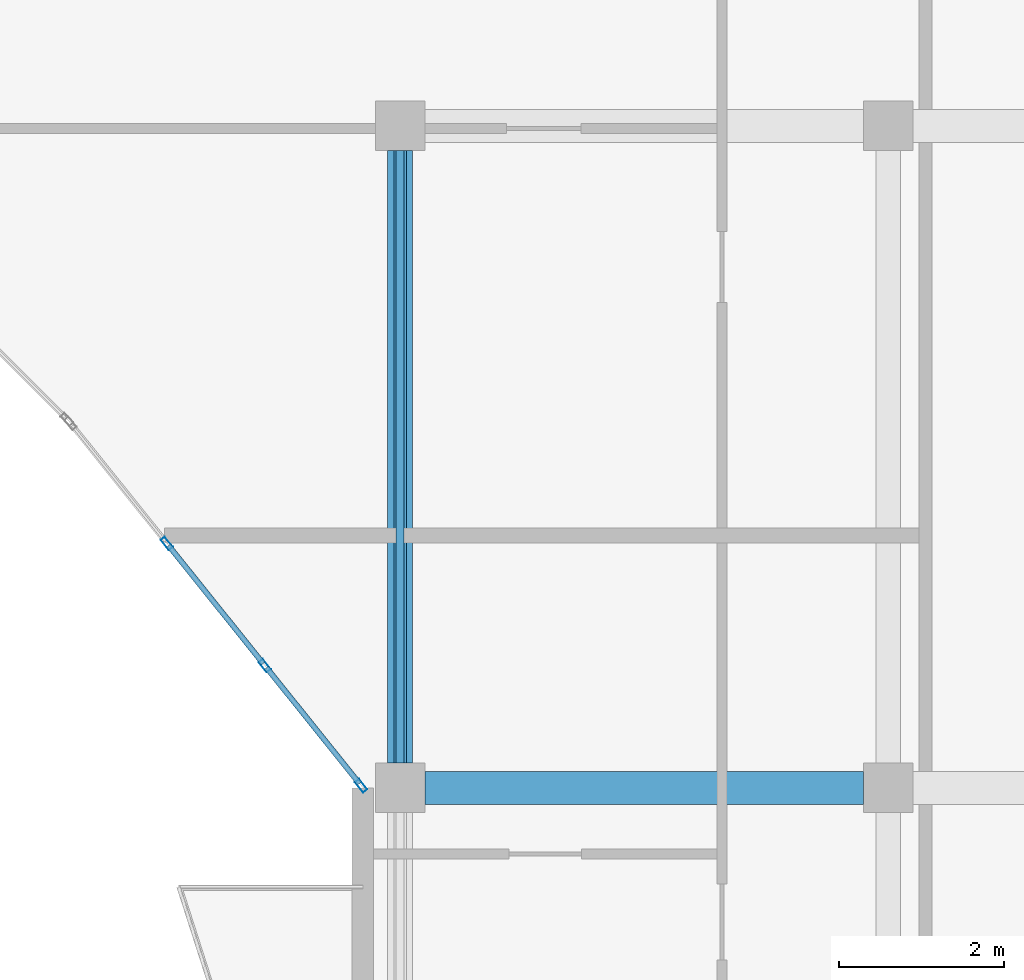
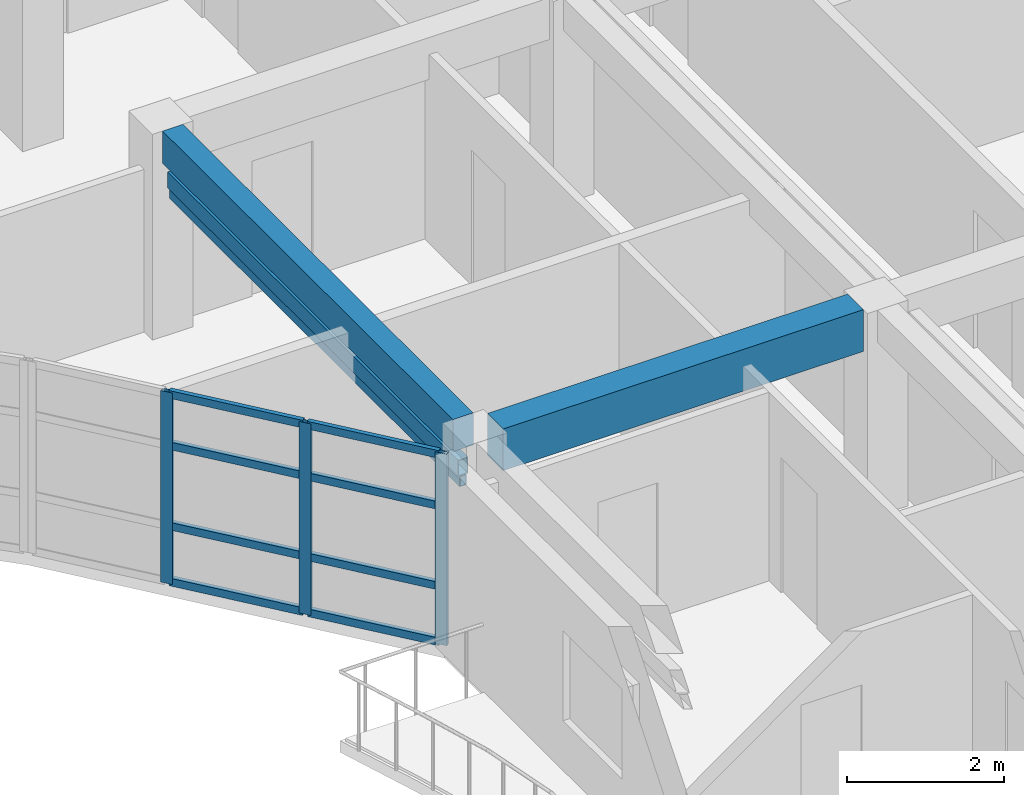
# One storey, part 20 of 72: 13 members, 2 beams, 1 element without a shape of its own.
"""IFC4 building model written with IfcOpenShell, lengths in metres."""

from ifc_helpers import new_model, si_unit, direction, frame, origin, origin_2d, place, context, subcontext, project, spatial, rectangle, hollow_rectangle, extrude, material, layer, layer_set, material_profile, profile_set, type_object, element, aggregate, save


model = new_model("IFC4")

# Units and contexts
model_context = context("Model", 3, precision=1e-05, world=origin(), true_north=direction((0.0, 1.0)))
body_context = subcontext(model_context, "Body", "Model", "MODEL_VIEW")
ifc_project = project(units=[si_unit("LENGTHUNIT", "METRE"), si_unit("AREAUNIT", "SQUARE_METRE"), si_unit("VOLUMEUNIT", "CUBIC_METRE"), si_unit("PLANEANGLEUNIT", "RADIAN"), si_unit("MASSUNIT", "GRAM", prefix="KILO")], contexts=[model_context])

# Site, building, storey
site_placement = place(None, origin())
site = spatial("IfcSite", under=ifc_project, at=site_placement, CompositionType="ELEMENT")
building_placement = place(site_placement, origin())
building = spatial("IfcBuilding", under=site, at=building_placement, Name="Keldmere Railside Commons", CompositionType="ELEMENT")
storey_placement = place(building_placement, frame((0.0, 0.0, 16.9599609375)))
storey = spatial("IfcBuildingStorey", under=building, at=storey_placement, Name="L05", CompositionType="ELEMENT", Elevation=16.9599609375)

# Member
ifc_material_1 = material(Name="Steel F-36 (S355)", Category="steel")
ifc_material_profile_1 = material_profile(ifc_material_1, hollow_rectangle(XDim=0.14990234375, YDim=0.25, WallThickness=0.010009765625, at=origin_2d()), Name="RHS-250x150x10")
ifc_profile_set_1 = profile_set([ifc_material_profile_1], Name="Steel F-36 (S355)")
member_type_1 = type_object("IfcMemberType", Name="Balcony Continuous Planted Trough RHS250x150", PredefinedType="CHORD", material=ifc_profile_set_1)
member_1_placement = place(storey_placement, frame((168.449951171875, 88.300048828125, 2.4150390625), z_axis=(0.0, 1.0, 0.0), x_axis=(-1.0, 0.0, 0.0)))
element("IfcMember", 1, at=member_1_placement, inside=storey, type_object=member_type_1, Name="PLT-1 MEM-BPLT-0667", PredefinedType="CHORD", context=body_context, shape_type="SweptSolid", body=[
    extrude(hollow_rectangle(XDim=0.14990234375, YDim=0.25, WallThickness=0.010009765625, at=origin_2d()), origin(), (0.0, 0.0, 1.0), 7.39990234375),
])

# Beams
ifc_material_2 = material(Name="Concrete H-30 (C30/37)", Category="concrete")
ifc_material_profile_2 = material_profile(ifc_material_2, rectangle(XDim=0.39990234375, YDim=0.64990234375, at=origin_2d()), Name="RC-400x650")
ifc_profile_set_2 = profile_set([ifc_material_profile_2], Name="Concrete H-30 (C30/37)")
beam_type_1 = type_object("IfcBeamType", Name="Residential Spine RC Girder 400x650", PredefinedType="BEAM", material=ifc_profile_set_2)
beam_1_placement = place(storey_placement, frame((168.75, 88.0, 2.875), z_axis=(1.0, 0.0, 0.0), x_axis=(0.0, 1.0, 0.0)))
element("IfcBeam", 2, at=beam_1_placement, inside=storey, type_object=beam_type_1, Name="BG-3 BM-L05-1718", PredefinedType="BEAM", context=body_context, shape_type="SweptSolid", body=[
    extrude(rectangle(XDim=0.39990234375, YDim=0.64990234375, at=origin_2d()), origin(), (0.0, 0.0, 1.0), 5.300048828125),
])
ifc_material_profile_3 = material_profile(ifc_material_2, rectangle(XDim=0.300048828125, YDim=0.5, at=origin_2d()), Name="RC-300x500")
ifc_profile_set_3 = profile_set([ifc_material_profile_3], Name="Concrete H-30 (C30/37)")
beam_type_2 = type_object("IfcBeamType", Name="Secondary Frame RC Beam 300x500", PredefinedType="BEAM", material=ifc_profile_set_3)
beam_2_placement = place(storey_placement, frame((168.449951171875, 88.300048828125, 2.949951171875), z_axis=(0.0, 1.0, 0.0), x_axis=(-1.0, 0.0, 0.0)))
element("IfcBeam", 3, at=beam_2_placement, inside=storey, type_object=beam_type_2, Name="BG-5 BM-L05-1846", PredefinedType="BEAM", context=body_context, shape_type="SweptSolid", body=[
    extrude(rectangle(XDim=0.300048828125, YDim=0.5, at=origin_2d()), origin(), (0.0, 0.0, 1.0), 7.39990234375),
])

# Member
ifc_material_profile_4 = material_profile(ifc_material_1, hollow_rectangle(XDim=0.10009765625, YDim=0.159912109375, WallThickness=0.008056640625, at=origin_2d()), Name="RHS-160x100x8")
ifc_profile_set_4 = profile_set([ifc_material_profile_4], Name="Steel F-36 (S355)")
member_type_2 = type_object("IfcMemberType", Name="Solar Brise-Soleil Louvre Fin RHS160x100", PredefinedType="STRUT", material=ifc_profile_set_4)
member_2_placement = place(storey_placement, frame((168.449951171875, 88.300048828125, 2.199951171875), z_axis=(0.0, 1.0, 0.0), x_axis=(-1.0, 0.0, 0.0)))
element("IfcMember", 4, at=member_2_placement, inside=storey, type_object=member_type_2, Name="BSF-1 MEM-BSF-0668", PredefinedType="STRUT", context=body_context, shape_type="SweptSolid", body=[
    extrude(hollow_rectangle(XDim=0.10009765625, YDim=0.159912109375, WallThickness=0.008056640625, at=origin_2d()), origin(), (0.0, 0.0, 1.0), 7.39990234375),
])

# Curtain wall, members
ifc_material_3 = material(Name="Thermally Broken Aluminium", Category="aluminium")
ifc_layer = layer(ifc_material_3, 0.159912109375, Name="Court Chord Wintergarden CW 5400x2850")
ifc_layer_set = layer_set([ifc_layer], Name="Thermally Broken Aluminium")
curtain_wall_type = type_object("IfcCurtainWallType", Name="Court Chord Wintergarden CW 5400x2850", PredefinedType="NOTDEFINED", material=ifc_layer_set)
curtain_wall_placement = place(storey_placement, origin())
curtain_wall = element("IfcCurtainWall", 5, at=curtain_wall_placement, inside=storey, type_object=curtain_wall_type, Name="CW-13 CW-L05-174", PredefinedType="NOTDEFINED")
ifc_material_profile_5 = material_profile(ifc_material_3, hollow_rectangle(XDim=0.06494140625, YDim=0.159912109375, WallThickness=0.00390625, at=origin_2d()), Name="ALU-MULL-65x160")
ifc_profile_set_5 = profile_set([ifc_material_profile_5], Name="Thermally Broken Aluminium")
member_type_3 = type_object("IfcMemberType", Name="Unitised Curtain Wall Mullion 65x160", PredefinedType="MULLION", material=ifc_profile_set_5)
member_3_placement = place(storey_placement, frame((167.979736328125, 88.025390625, 0.0), z_axis=(0.0, 0.0, 1.0), x_axis=(-0.780009172323, -0.625768080915, 0.0)))
member_3 = element("IfcMember", 6, at=member_3_placement, type_object=member_type_3, Name="CW-13 mullion 1", PredefinedType="MULLION", context=body_context, shape_type="SweptSolid", body=[
    extrude(hollow_rectangle(XDim=0.06494140625, YDim=0.159912109375, WallThickness=0.00390625, at=origin_2d()), origin(), (0.0, 0.0, 1.0), 2.97998046875),
])
member_4_placement = place(storey_placement, frame((166.8154296875, 89.4765625, 0.0), z_axis=(0.0, 0.0, 1.0), x_axis=(-0.780009172323, -0.625768080915, 0.0)))
member_4 = element("IfcMember", 7, at=member_4_placement, type_object=member_type_3, Name="CW-13 mullion 2", PredefinedType="MULLION", context=body_context, shape_type="SweptSolid", body=[
    extrude(hollow_rectangle(XDim=0.06494140625, YDim=0.159912109375, WallThickness=0.00390625, at=origin_2d()), origin(), (0.0, 0.0, 1.0), 2.97998046875),
])
member_5_placement = place(storey_placement, frame((165.630615234375, 90.953369140625, 0.0), z_axis=(0.0, 0.0, 1.0), x_axis=(-0.780009172323, -0.625768080915, 0.0)))
member_5 = element("IfcMember", 8, at=member_5_placement, type_object=member_type_3, Name="CW-13 mullion 3", PredefinedType="MULLION", context=body_context, shape_type="SweptSolid", body=[
    extrude(hollow_rectangle(XDim=0.06494140625, YDim=0.159912109375, WallThickness=0.00390625, at=origin_2d()), origin(), (0.0, 0.0, 1.0), 2.97998046875),
])
ifc_material_profile_6 = material_profile(ifc_material_3, hollow_rectangle(XDim=0.06494140625, YDim=0.1201171875, WallThickness=0.00390625, at=origin_2d()), Name="ALU-TRAN-65x120")
ifc_profile_set_6 = profile_set([ifc_material_profile_6], Name="Thermally Broken Aluminium")
member_type_4 = type_object("IfcMemberType", Name="Unitised Curtain Wall Transom 65x120", PredefinedType="USERDEFINED", material=ifc_profile_set_6)
member_6_placement = place(storey_placement, frame((167.959228515625, 88.05078125, 0.032470703125), z_axis=(-0.625722553313, 0.780045694992, 0.0), x_axis=(-0.780045694992, -0.625722553313, 0.0)))
member_6 = element("IfcMember", 9, at=member_6_placement, type_object=member_type_4, Name="CW-13 transom 1.1", ObjectType="TRANSOM", PredefinedType="USERDEFINED", context=body_context, shape_type="SweptSolid", body=[
    extrude(hollow_rectangle(XDim=0.06494140625, YDim=0.1201171875, WallThickness=0.00390625, at=origin_2d()), origin(), (0.0, 0.0, 1.0), 1.795654296875),
])
member_7_placement = place(storey_placement, frame((167.959228515625, 88.05078125, 0.900146484375), z_axis=(-0.625722553313, 0.780045694992, 0.0), x_axis=(-0.780045694992, -0.625722553313, 0.0)))
member_7 = element("IfcMember", 10, at=member_7_placement, type_object=member_type_4, Name="CW-13 transom 1.2", ObjectType="TRANSOM", PredefinedType="USERDEFINED", context=body_context, shape_type="SweptSolid", body=[
    extrude(hollow_rectangle(XDim=0.06494140625, YDim=0.1201171875, WallThickness=0.00390625, at=origin_2d()), origin(), (0.0, 0.0, 1.0), 1.795654296875),
])
member_8_placement = place(storey_placement, frame((167.959228515625, 88.05078125, 2.150146484375), z_axis=(-0.625722553313, 0.780045694992, 0.0), x_axis=(-0.780045694992, -0.625722553313, 0.0)))
member_8 = element("IfcMember", 11, at=member_8_placement, type_object=member_type_4, Name="CW-13 transom 1.3", ObjectType="TRANSOM", PredefinedType="USERDEFINED", context=body_context, shape_type="SweptSolid", body=[
    extrude(hollow_rectangle(XDim=0.06494140625, YDim=0.1201171875, WallThickness=0.00390625, at=origin_2d()), origin(), (0.0, 0.0, 1.0), 1.795654296875),
])
member_9_placement = place(storey_placement, frame((167.959228515625, 88.05078125, 2.947509765625), z_axis=(-0.625722553313, 0.780045694992, 0.0), x_axis=(-0.780045694992, -0.625722553313, 0.0)))
member_9 = element("IfcMember", 12, at=member_9_placement, type_object=member_type_4, Name="CW-13 transom 1.4", ObjectType="TRANSOM", PredefinedType="USERDEFINED", context=body_context, shape_type="SweptSolid", body=[
    extrude(hollow_rectangle(XDim=0.06494140625, YDim=0.1201171875, WallThickness=0.00390625, at=origin_2d()), origin(), (0.0, 0.0, 1.0), 1.795654296875),
])
member_10_placement = place(storey_placement, frame((166.794921875, 89.501953125, 0.032470703125), z_axis=(-0.625688033635, 0.78007338409, 0.0), x_axis=(-0.78007338409, -0.625688033635, 0.0)))
member_10 = element("IfcMember", 13, at=member_10_placement, type_object=member_type_4, Name="CW-13 transom 2.1", ObjectType="TRANSOM", PredefinedType="USERDEFINED", context=body_context, shape_type="SweptSolid", body=[
    extrude(hollow_rectangle(XDim=0.06494140625, YDim=0.1201171875, WallThickness=0.00390625, at=origin_2d()), origin(), (0.0, 0.0, 1.0), 1.828125),
])
member_11_placement = place(storey_placement, frame((166.794921875, 89.501953125, 0.900146484375), z_axis=(-0.625688033635, 0.78007338409, 0.0), x_axis=(-0.78007338409, -0.625688033635, 0.0)))
member_11 = element("IfcMember", 14, at=member_11_placement, type_object=member_type_4, Name="CW-13 transom 2.2", ObjectType="TRANSOM", PredefinedType="USERDEFINED", context=body_context, shape_type="SweptSolid", body=[
    extrude(hollow_rectangle(XDim=0.06494140625, YDim=0.1201171875, WallThickness=0.00390625, at=origin_2d()), origin(), (0.0, 0.0, 1.0), 1.828125),
])
member_12_placement = place(storey_placement, frame((166.794921875, 89.501953125, 2.150146484375), z_axis=(-0.625688033635, 0.78007338409, 0.0), x_axis=(-0.78007338409, -0.625688033635, 0.0)))
member_12 = element("IfcMember", 15, at=member_12_placement, type_object=member_type_4, Name="CW-13 transom 2.3", ObjectType="TRANSOM", PredefinedType="USERDEFINED", context=body_context, shape_type="SweptSolid", body=[
    extrude(hollow_rectangle(XDim=0.06494140625, YDim=0.1201171875, WallThickness=0.00390625, at=origin_2d()), origin(), (0.0, 0.0, 1.0), 1.828125),
])
member_13_placement = place(storey_placement, frame((166.794921875, 89.501953125, 2.947509765625), z_axis=(-0.625688033635, 0.78007338409, 0.0), x_axis=(-0.78007338409, -0.625688033635, 0.0)))
member_13 = element("IfcMember", 16, at=member_13_placement, type_object=member_type_4, Name="CW-13 transom 2.4", ObjectType="TRANSOM", PredefinedType="USERDEFINED", context=body_context, shape_type="SweptSolid", body=[
    extrude(hollow_rectangle(XDim=0.06494140625, YDim=0.1201171875, WallThickness=0.00390625, at=origin_2d()), origin(), (0.0, 0.0, 1.0), 1.828125),
])
aggregate(curtain_wall, [member_3, member_4, member_5, member_6, member_7, member_8, member_9, member_10, member_11, member_12, member_13])

save(model, "model.ifc")
